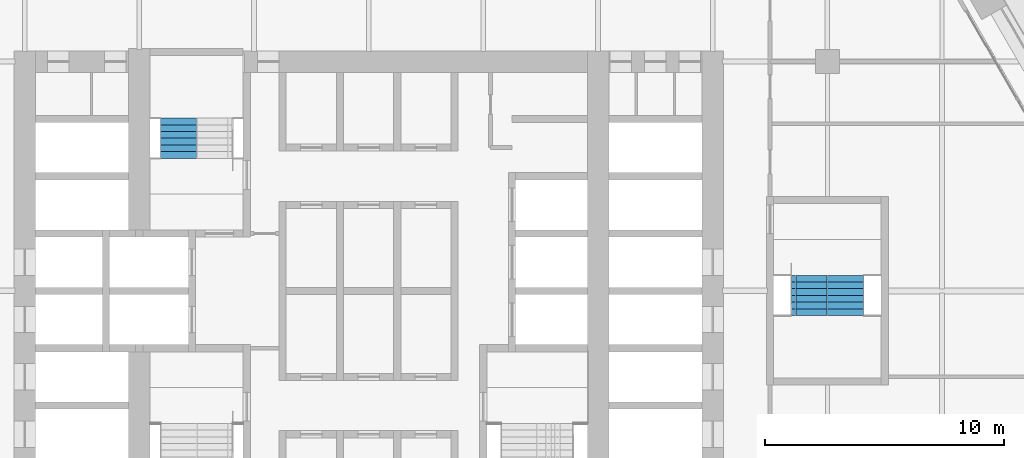
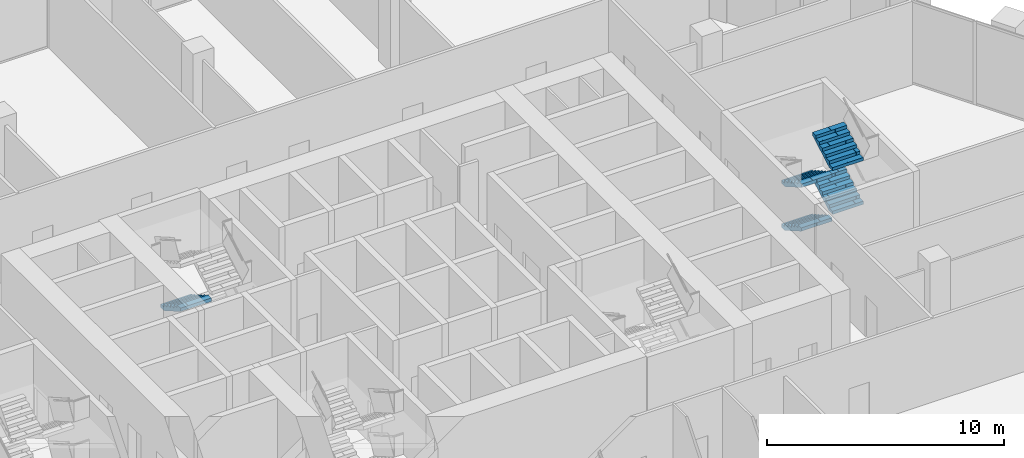
# One storey, part 20 of 23: 5 stair flights, 2 elements without a shape of their own.
"""IFC4 building model written with IfcOpenShell, lengths in metres."""

from ifc_helpers import new_model, si_unit, direction, frame, origin, place, context, subcontext, project, spatial, polyline, outline, extrude, material, type_object, element, aggregate, save


model = new_model("IFC4")

# Units and contexts
model_context = context("Model", 3, precision=1e-05, world=origin(), true_north=direction((0.0, 1.0)))
body_context = subcontext(model_context, "Body", "Model", "MODEL_VIEW")
ifc_project = project(units=[si_unit("LENGTHUNIT", "METRE"), si_unit("AREAUNIT", "SQUARE_METRE"), si_unit("VOLUMEUNIT", "CUBIC_METRE"), si_unit("PLANEANGLEUNIT", "RADIAN"), si_unit("MASSUNIT", "GRAM", prefix="KILO")], contexts=[model_context])

# Site, building, storey
site_placement = place(None, origin())
site = spatial("IfcSite", under=ifc_project, at=site_placement, CompositionType="ELEMENT")
building_placement = place(site_placement, origin())
building = spatial("IfcBuilding", under=site, at=building_placement, Name="Kolab Exchange Tower", CompositionType="ELEMENT")
storey_placement = place(building_placement, frame((0.0, 0.0, 100.39990234375)))
storey = spatial("IfcBuildingStorey", under=building, at=storey_placement, Name="L19", CompositionType="ELEMENT", Elevation=100.39990234375)

# Stair, stair flight
ifc_material = material(Name="Concrete C50/60", Category="concrete")
stair_type_1 = type_object("IfcStairType", Name="STAIR ST1 RISER 160.7", PredefinedType="DOUBLE_RETURN_STAIR", material=ifc_material)
stair_1_placement = place(storey_placement, origin())
stair_1 = element("IfcStair", 1, at=stair_1_placement, inside=storey, type_object=stair_type_1, Name="Stair 1", PredefinedType="DOUBLE_RETURN_STAIR")
stair_flight_type = type_object("IfcStairFlightType", Name="STAIR FLIGHT 1500 RISER 160.7", PredefinedType="STRAIGHT", material=ifc_material)
stair_flight_1_placement = place(storey_placement, frame((-7.9599609375, 7.22998046875, 1.125), z_axis=(0.0, 0.0, 1.0), x_axis=(0.0, -1.0, 0.0)))
stair_flight_1 = element("IfcStairFlight", 2, at=stair_flight_1_placement, type_object=stair_flight_type, Name="ST1 flight 2", NumberOfRisers=7, NumberOfTreads=6, PredefinedType="STRAIGHT", RiserHeight=0.160714286, TreadLength=0.28, context=body_context, shape_type="SweptSolid", body=[
    extrude(outline(polyline([(0.0, 0.0), (0.0, 0.16064453125), (0.280029296875, 0.16064453125), (0.280029296875, 0.321533203125), (0.56005859375, 0.321533203125), (0.56005859375, 0.482177734375), (0.840087890625, 0.482177734375), (0.840087890625, 0.642822265625), (1.1201171875, 0.642822265625), (1.1201171875, 0.803466796875), (1.39990234375, 0.803466796875), (1.39990234375, 0.96435546875), (1.679931640625, 0.96435546875), (1.679931640625, 1.125), (1.679931640625, 0.79150390625), (0.301025390625, 0.0), (0.0, 0.0)])), frame((0.0, 0.75, 0.0), z_axis=(0.0, -1.0, 0.0), x_axis=(1.0, 0.0, 0.0)), (0.0, 0.0, 1.0), 0.185791015625),
    extrude(outline(polyline([(0.0, 0.0), (0.0, 0.16064453125), (0.280029296875, 0.16064453125), (0.280029296875, 0.321533203125), (0.56005859375, 0.321533203125), (0.56005859375, 0.482177734375), (0.840087890625, 0.482177734375), (0.840087890625, 0.642822265625), (1.1201171875, 0.642822265625), (1.1201171875, 0.803466796875), (1.39990234375, 0.803466796875), (1.39990234375, 0.96435546875), (1.679931640625, 0.96435546875), (1.679931640625, 1.125), (1.679931640625, 0.79150390625), (0.301025390625, 0.0), (0.0, 0.0)])), frame((0.0, 0.562255859375, 0.0), z_axis=(0.0, -1.0, 0.0), x_axis=(1.0, 0.0, 0.0)), (0.0, 0.0, 1.0), 0.185791015625),
    extrude(outline(polyline([(0.0, 0.0), (0.0, 0.16064453125), (0.280029296875, 0.16064453125), (0.280029296875, 0.321533203125), (0.56005859375, 0.321533203125), (0.56005859375, 0.482177734375), (0.840087890625, 0.482177734375), (0.840087890625, 0.642822265625), (1.1201171875, 0.642822265625), (1.1201171875, 0.803466796875), (1.39990234375, 0.803466796875), (1.39990234375, 0.96435546875), (1.679931640625, 0.96435546875), (1.679931640625, 1.125), (1.679931640625, 0.79150390625), (0.301025390625, 0.0), (0.0, 0.0)])), frame((0.0, 0.37451171875, 0.0), z_axis=(0.0, -1.0, 0.0), x_axis=(1.0, 0.0, 0.0)), (0.0, 0.0, 1.0), 0.185791015625),
    extrude(outline(polyline([(0.0, 0.0), (0.0, 0.16064453125), (0.280029296875, 0.16064453125), (0.280029296875, 0.321533203125), (0.56005859375, 0.321533203125), (0.56005859375, 0.482177734375), (0.840087890625, 0.482177734375), (0.840087890625, 0.642822265625), (1.1201171875, 0.642822265625), (1.1201171875, 0.803466796875), (1.39990234375, 0.803466796875), (1.39990234375, 0.96435546875), (1.679931640625, 0.96435546875), (1.679931640625, 1.125), (1.679931640625, 0.79150390625), (0.301025390625, 0.0), (0.0, 0.0)])), frame((0.0, 0.186767578125, 0.0), z_axis=(0.0, -1.0, 0.0), x_axis=(1.0, 0.0, 0.0)), (0.0, 0.0, 1.0), 0.185791015625),
    extrude(outline(polyline([(0.0, 0.0), (0.0, 0.16064453125), (0.280029296875, 0.16064453125), (0.280029296875, 0.321533203125), (0.56005859375, 0.321533203125), (0.56005859375, 0.482177734375), (0.840087890625, 0.482177734375), (0.840087890625, 0.642822265625), (1.1201171875, 0.642822265625), (1.1201171875, 0.803466796875), (1.39990234375, 0.803466796875), (1.39990234375, 0.96435546875), (1.679931640625, 0.96435546875), (1.679931640625, 1.125), (1.679931640625, 0.79150390625), (0.301025390625, 0.0), (0.0, 0.0)])), frame((0.0, -0.0009765625, 0.0), z_axis=(0.0, -1.0, 0.0), x_axis=(1.0, 0.0, 0.0)), (0.0, 0.0, 1.0), 0.185791015625),
    extrude(outline(polyline([(0.0, 0.0), (0.0, 0.16064453125), (0.280029296875, 0.16064453125), (0.280029296875, 0.321533203125), (0.56005859375, 0.321533203125), (0.56005859375, 0.482177734375), (0.840087890625, 0.482177734375), (0.840087890625, 0.642822265625), (1.1201171875, 0.642822265625), (1.1201171875, 0.803466796875), (1.39990234375, 0.803466796875), (1.39990234375, 0.96435546875), (1.679931640625, 0.96435546875), (1.679931640625, 1.125), (1.679931640625, 0.79150390625), (0.301025390625, 0.0), (0.0, 0.0)])), frame((0.0, -0.188720703125, 0.0), z_axis=(0.0, -1.0, 0.0), x_axis=(1.0, 0.0, 0.0)), (0.0, 0.0, 1.0), 0.185791015625),
    extrude(outline(polyline([(0.0, 0.0), (0.0, 0.16064453125), (0.280029296875, 0.16064453125), (0.280029296875, 0.321533203125), (0.56005859375, 0.321533203125), (0.56005859375, 0.482177734375), (0.840087890625, 0.482177734375), (0.840087890625, 0.642822265625), (1.1201171875, 0.642822265625), (1.1201171875, 0.803466796875), (1.39990234375, 0.803466796875), (1.39990234375, 0.96435546875), (1.679931640625, 0.96435546875), (1.679931640625, 1.125), (1.679931640625, 0.79150390625), (0.301025390625, 0.0), (0.0, 0.0)])), frame((0.0, -0.37646484375, 0.0), z_axis=(0.0, -1.0, 0.0), x_axis=(1.0, 0.0, 0.0)), (0.0, 0.0, 1.0), 0.185791015625),
    extrude(outline(polyline([(0.0, 0.0), (0.0, 0.16064453125), (0.280029296875, 0.16064453125), (0.280029296875, 0.321533203125), (0.56005859375, 0.321533203125), (0.56005859375, 0.482177734375), (0.840087890625, 0.482177734375), (0.840087890625, 0.642822265625), (1.1201171875, 0.642822265625), (1.1201171875, 0.803466796875), (1.39990234375, 0.803466796875), (1.39990234375, 0.96435546875), (1.679931640625, 0.96435546875), (1.679931640625, 1.125), (1.679931640625, 0.79150390625), (0.301025390625, 0.0), (0.0, 0.0)])), frame((0.0, -0.564208984375, 0.0), z_axis=(0.0, -1.0, 0.0), x_axis=(1.0, 0.0, 0.0)), (0.0, 0.0, 1.0), 0.185791015625),
])
aggregate(stair_1, [stair_flight_1])

# Stair, stair flights
stair_type_2 = type_object("IfcStairType", Name="STAIR ST4 RISER 160.7", PredefinedType="DOUBLE_RETURN_STAIR", material=ifc_material)
stair_2_placement = place(storey_placement, origin())
stair_2 = element("IfcStair", 3, at=stair_2_placement, inside=storey, type_object=stair_type_2, Name="Stair 4", PredefinedType="DOUBLE_RETURN_STAIR")
stair_flight_2_placement = place(storey_placement, frame((18.43994140625, 0.64990234375, 0.0), z_axis=(0.0, 0.0, 1.0), x_axis=(0.0, -1.0, 0.0)))
stair_flight_2 = element("IfcStairFlight", 4, at=stair_flight_2_placement, type_object=stair_flight_type, Name="ST4 flight 1", NumberOfRisers=7, NumberOfTreads=6, PredefinedType="STRAIGHT", RiserHeight=0.160714286, TreadLength=0.28, context=body_context, shape_type="SweptSolid", body=[
    extrude(outline(polyline([(0.0, 0.0), (0.0, 0.16064453125), (0.280029296875, 0.16064453125), (0.280029296875, 0.321533203125), (0.56005859375, 0.321533203125), (0.56005859375, 0.482177734375), (0.840087890625, 0.482177734375), (0.840087890625, 0.642822265625), (1.1201171875, 0.642822265625), (1.1201171875, 0.803466796875), (1.39990234375, 0.803466796875), (1.39990234375, 0.96435546875), (1.679931640625, 0.96435546875), (1.679931640625, 1.125), (1.679931640625, 0.79150390625), (0.301025390625, 0.0), (0.0, 0.0)])), frame((0.0, 0.75, 0.0), z_axis=(0.0, -1.0, 0.0), x_axis=(1.0, 0.0, 0.0)), (0.0, 0.0, 1.0), 0.185791015625),
    extrude(outline(polyline([(0.0, 0.0), (0.0, 0.16064453125), (0.280029296875, 0.16064453125), (0.280029296875, 0.321533203125), (0.56005859375, 0.321533203125), (0.56005859375, 0.482177734375), (0.840087890625, 0.482177734375), (0.840087890625, 0.642822265625), (1.1201171875, 0.642822265625), (1.1201171875, 0.803466796875), (1.39990234375, 0.803466796875), (1.39990234375, 0.96435546875), (1.679931640625, 0.96435546875), (1.679931640625, 1.125), (1.679931640625, 0.79150390625), (0.301025390625, 0.0), (0.0, 0.0)])), frame((0.0, 0.562255859375, 0.0), z_axis=(0.0, -1.0, 0.0), x_axis=(1.0, 0.0, 0.0)), (0.0, 0.0, 1.0), 0.185791015625),
    extrude(outline(polyline([(0.0, 0.0), (0.0, 0.16064453125), (0.280029296875, 0.16064453125), (0.280029296875, 0.321533203125), (0.56005859375, 0.321533203125), (0.56005859375, 0.482177734375), (0.840087890625, 0.482177734375), (0.840087890625, 0.642822265625), (1.1201171875, 0.642822265625), (1.1201171875, 0.803466796875), (1.39990234375, 0.803466796875), (1.39990234375, 0.96435546875), (1.679931640625, 0.96435546875), (1.679931640625, 1.125), (1.679931640625, 0.79150390625), (0.301025390625, 0.0), (0.0, 0.0)])), frame((0.0, 0.37451171875, 0.0), z_axis=(0.0, -1.0, 0.0), x_axis=(1.0, 0.0, 0.0)), (0.0, 0.0, 1.0), 0.185791015625),
    extrude(outline(polyline([(0.0, 0.0), (0.0, 0.16064453125), (0.280029296875, 0.16064453125), (0.280029296875, 0.321533203125), (0.56005859375, 0.321533203125), (0.56005859375, 0.482177734375), (0.840087890625, 0.482177734375), (0.840087890625, 0.642822265625), (1.1201171875, 0.642822265625), (1.1201171875, 0.803466796875), (1.39990234375, 0.803466796875), (1.39990234375, 0.96435546875), (1.679931640625, 0.96435546875), (1.679931640625, 1.125), (1.679931640625, 0.79150390625), (0.301025390625, 0.0), (0.0, 0.0)])), frame((0.0, 0.186767578125, 0.0), z_axis=(0.0, -1.0, 0.0), x_axis=(1.0, 0.0, 0.0)), (0.0, 0.0, 1.0), 0.185791015625),
    extrude(outline(polyline([(0.0, 0.0), (0.0, 0.16064453125), (0.280029296875, 0.16064453125), (0.280029296875, 0.321533203125), (0.56005859375, 0.321533203125), (0.56005859375, 0.482177734375), (0.840087890625, 0.482177734375), (0.840087890625, 0.642822265625), (1.1201171875, 0.642822265625), (1.1201171875, 0.803466796875), (1.39990234375, 0.803466796875), (1.39990234375, 0.96435546875), (1.679931640625, 0.96435546875), (1.679931640625, 1.125), (1.679931640625, 0.79150390625), (0.301025390625, 0.0), (0.0, 0.0)])), frame((0.0, -0.0009765625, 0.0), z_axis=(0.0, -1.0, 0.0), x_axis=(1.0, 0.0, 0.0)), (0.0, 0.0, 1.0), 0.185791015625),
    extrude(outline(polyline([(0.0, 0.0), (0.0, 0.16064453125), (0.280029296875, 0.16064453125), (0.280029296875, 0.321533203125), (0.56005859375, 0.321533203125), (0.56005859375, 0.482177734375), (0.840087890625, 0.482177734375), (0.840087890625, 0.642822265625), (1.1201171875, 0.642822265625), (1.1201171875, 0.803466796875), (1.39990234375, 0.803466796875), (1.39990234375, 0.96435546875), (1.679931640625, 0.96435546875), (1.679931640625, 1.125), (1.679931640625, 0.79150390625), (0.301025390625, 0.0), (0.0, 0.0)])), frame((0.0, -0.188720703125, 0.0), z_axis=(0.0, -1.0, 0.0), x_axis=(1.0, 0.0, 0.0)), (0.0, 0.0, 1.0), 0.185791015625),
    extrude(outline(polyline([(0.0, 0.0), (0.0, 0.16064453125), (0.280029296875, 0.16064453125), (0.280029296875, 0.321533203125), (0.56005859375, 0.321533203125), (0.56005859375, 0.482177734375), (0.840087890625, 0.482177734375), (0.840087890625, 0.642822265625), (1.1201171875, 0.642822265625), (1.1201171875, 0.803466796875), (1.39990234375, 0.803466796875), (1.39990234375, 0.96435546875), (1.679931640625, 0.96435546875), (1.679931640625, 1.125), (1.679931640625, 0.79150390625), (0.301025390625, 0.0), (0.0, 0.0)])), frame((0.0, -0.37646484375, 0.0), z_axis=(0.0, -1.0, 0.0), x_axis=(1.0, 0.0, 0.0)), (0.0, 0.0, 1.0), 0.185791015625),
    extrude(outline(polyline([(0.0, 0.0), (0.0, 0.16064453125), (0.280029296875, 0.16064453125), (0.280029296875, 0.321533203125), (0.56005859375, 0.321533203125), (0.56005859375, 0.482177734375), (0.840087890625, 0.482177734375), (0.840087890625, 0.642822265625), (1.1201171875, 0.642822265625), (1.1201171875, 0.803466796875), (1.39990234375, 0.803466796875), (1.39990234375, 0.96435546875), (1.679931640625, 0.96435546875), (1.679931640625, 1.125), (1.679931640625, 0.79150390625), (0.301025390625, 0.0), (0.0, 0.0)])), frame((0.0, -0.564208984375, 0.0), z_axis=(0.0, -1.0, 0.0), x_axis=(1.0, 0.0, 0.0)), (0.0, 0.0, 1.0), 0.185791015625),
])
stair_flight_3_placement = place(storey_placement, frame((19.9599609375, -1.030029296875, 1.125), z_axis=(0.0, 0.0, 1.0), x_axis=(0.0, 1.0, 0.0)))
stair_flight_3 = element("IfcStairFlight", 5, at=stair_flight_3_placement, type_object=stair_flight_type, Name="ST4 flight 2", NumberOfRisers=7, NumberOfTreads=6, PredefinedType="STRAIGHT", RiserHeight=0.160714286, TreadLength=0.28, context=body_context, shape_type="SweptSolid", body=[
    extrude(outline(polyline([(0.0, 0.0), (0.0, 0.16064453125), (0.280029296875, 0.16064453125), (0.280029296875, 0.321533203125), (0.56005859375, 0.321533203125), (0.56005859375, 0.482177734375), (0.840087890625, 0.482177734375), (0.840087890625, 0.642822265625), (1.1201171875, 0.642822265625), (1.1201171875, 0.803466796875), (1.39990234375, 0.803466796875), (1.39990234375, 0.96435546875), (1.679931640625, 0.96435546875), (1.679931640625, 1.125), (1.679931640625, 0.79150390625), (0.301025390625, 0.0), (0.0, 0.0)])), frame((0.0, 0.75, 0.0), z_axis=(0.0, -1.0, 0.0), x_axis=(1.0, 0.0, 0.0)), (0.0, 0.0, 1.0), 0.185791015625),
    extrude(outline(polyline([(0.0, 0.0), (0.0, 0.16064453125), (0.280029296875, 0.16064453125), (0.280029296875, 0.321533203125), (0.56005859375, 0.321533203125), (0.56005859375, 0.482177734375), (0.840087890625, 0.482177734375), (0.840087890625, 0.642822265625), (1.1201171875, 0.642822265625), (1.1201171875, 0.803466796875), (1.39990234375, 0.803466796875), (1.39990234375, 0.96435546875), (1.679931640625, 0.96435546875), (1.679931640625, 1.125), (1.679931640625, 0.79150390625), (0.301025390625, 0.0), (0.0, 0.0)])), frame((0.0, 0.562255859375, 0.0), z_axis=(0.0, -1.0, 0.0), x_axis=(1.0, 0.0, 0.0)), (0.0, 0.0, 1.0), 0.185791015625),
    extrude(outline(polyline([(0.0, 0.0), (0.0, 0.16064453125), (0.280029296875, 0.16064453125), (0.280029296875, 0.321533203125), (0.56005859375, 0.321533203125), (0.56005859375, 0.482177734375), (0.840087890625, 0.482177734375), (0.840087890625, 0.642822265625), (1.1201171875, 0.642822265625), (1.1201171875, 0.803466796875), (1.39990234375, 0.803466796875), (1.39990234375, 0.96435546875), (1.679931640625, 0.96435546875), (1.679931640625, 1.125), (1.679931640625, 0.79150390625), (0.301025390625, 0.0), (0.0, 0.0)])), frame((0.0, 0.37451171875, 0.0), z_axis=(0.0, -1.0, 0.0), x_axis=(1.0, 0.0, 0.0)), (0.0, 0.0, 1.0), 0.185791015625),
    extrude(outline(polyline([(0.0, 0.0), (0.0, 0.16064453125), (0.280029296875, 0.16064453125), (0.280029296875, 0.321533203125), (0.56005859375, 0.321533203125), (0.56005859375, 0.482177734375), (0.840087890625, 0.482177734375), (0.840087890625, 0.642822265625), (1.1201171875, 0.642822265625), (1.1201171875, 0.803466796875), (1.39990234375, 0.803466796875), (1.39990234375, 0.96435546875), (1.679931640625, 0.96435546875), (1.679931640625, 1.125), (1.679931640625, 0.79150390625), (0.301025390625, 0.0), (0.0, 0.0)])), frame((0.0, 0.186767578125, 0.0), z_axis=(0.0, -1.0, 0.0), x_axis=(1.0, 0.0, 0.0)), (0.0, 0.0, 1.0), 0.185791015625),
    extrude(outline(polyline([(0.0, 0.0), (0.0, 0.16064453125), (0.280029296875, 0.16064453125), (0.280029296875, 0.321533203125), (0.56005859375, 0.321533203125), (0.56005859375, 0.482177734375), (0.840087890625, 0.482177734375), (0.840087890625, 0.642822265625), (1.1201171875, 0.642822265625), (1.1201171875, 0.803466796875), (1.39990234375, 0.803466796875), (1.39990234375, 0.96435546875), (1.679931640625, 0.96435546875), (1.679931640625, 1.125), (1.679931640625, 0.79150390625), (0.301025390625, 0.0), (0.0, 0.0)])), frame((0.0, -0.0009765625, 0.0), z_axis=(0.0, -1.0, 0.0), x_axis=(1.0, 0.0, 0.0)), (0.0, 0.0, 1.0), 0.185791015625),
    extrude(outline(polyline([(0.0, 0.0), (0.0, 0.16064453125), (0.280029296875, 0.16064453125), (0.280029296875, 0.321533203125), (0.56005859375, 0.321533203125), (0.56005859375, 0.482177734375), (0.840087890625, 0.482177734375), (0.840087890625, 0.642822265625), (1.1201171875, 0.642822265625), (1.1201171875, 0.803466796875), (1.39990234375, 0.803466796875), (1.39990234375, 0.96435546875), (1.679931640625, 0.96435546875), (1.679931640625, 1.125), (1.679931640625, 0.79150390625), (0.301025390625, 0.0), (0.0, 0.0)])), frame((0.0, -0.188720703125, 0.0), z_axis=(0.0, -1.0, 0.0), x_axis=(1.0, 0.0, 0.0)), (0.0, 0.0, 1.0), 0.185791015625),
    extrude(outline(polyline([(0.0, 0.0), (0.0, 0.16064453125), (0.280029296875, 0.16064453125), (0.280029296875, 0.321533203125), (0.56005859375, 0.321533203125), (0.56005859375, 0.482177734375), (0.840087890625, 0.482177734375), (0.840087890625, 0.642822265625), (1.1201171875, 0.642822265625), (1.1201171875, 0.803466796875), (1.39990234375, 0.803466796875), (1.39990234375, 0.96435546875), (1.679931640625, 0.96435546875), (1.679931640625, 1.125), (1.679931640625, 0.79150390625), (0.301025390625, 0.0), (0.0, 0.0)])), frame((0.0, -0.37646484375, 0.0), z_axis=(0.0, -1.0, 0.0), x_axis=(1.0, 0.0, 0.0)), (0.0, 0.0, 1.0), 0.185791015625),
    extrude(outline(polyline([(0.0, 0.0), (0.0, 0.16064453125), (0.280029296875, 0.16064453125), (0.280029296875, 0.321533203125), (0.56005859375, 0.321533203125), (0.56005859375, 0.482177734375), (0.840087890625, 0.482177734375), (0.840087890625, 0.642822265625), (1.1201171875, 0.642822265625), (1.1201171875, 0.803466796875), (1.39990234375, 0.803466796875), (1.39990234375, 0.96435546875), (1.679931640625, 0.96435546875), (1.679931640625, 1.125), (1.679931640625, 0.79150390625), (0.301025390625, 0.0), (0.0, 0.0)])), frame((0.0, -0.564208984375, 0.0), z_axis=(0.0, -1.0, 0.0), x_axis=(1.0, 0.0, 0.0)), (0.0, 0.0, 1.0), 0.185791015625),
])
stair_flight_4_placement = place(storey_placement, frame((18.43994140625, 0.64990234375, 2.25), z_axis=(0.0, 0.0, 1.0), x_axis=(0.0, -1.0, 0.0)))
stair_flight_4 = element("IfcStairFlight", 6, at=stair_flight_4_placement, type_object=stair_flight_type, Name="ST4 flight 3", NumberOfRisers=7, NumberOfTreads=6, PredefinedType="STRAIGHT", RiserHeight=0.160714286, TreadLength=0.28, context=body_context, shape_type="SweptSolid", body=[
    extrude(outline(polyline([(0.0, 0.0), (0.0, 0.16064453125), (0.280029296875, 0.16064453125), (0.280029296875, 0.321533203125), (0.56005859375, 0.321533203125), (0.56005859375, 0.482177734375), (0.840087890625, 0.482177734375), (0.840087890625, 0.642822265625), (1.1201171875, 0.642822265625), (1.1201171875, 0.803466796875), (1.39990234375, 0.803466796875), (1.39990234375, 0.96435546875), (1.679931640625, 0.96435546875), (1.679931640625, 1.125), (1.679931640625, 0.79150390625), (0.301025390625, 0.0), (0.0, 0.0)])), frame((0.0, 0.75, 0.0), z_axis=(0.0, -1.0, 0.0), x_axis=(1.0, 0.0, 0.0)), (0.0, 0.0, 1.0), 0.185791015625),
    extrude(outline(polyline([(0.0, 0.0), (0.0, 0.16064453125), (0.280029296875, 0.16064453125), (0.280029296875, 0.321533203125), (0.56005859375, 0.321533203125), (0.56005859375, 0.482177734375), (0.840087890625, 0.482177734375), (0.840087890625, 0.642822265625), (1.1201171875, 0.642822265625), (1.1201171875, 0.803466796875), (1.39990234375, 0.803466796875), (1.39990234375, 0.96435546875), (1.679931640625, 0.96435546875), (1.679931640625, 1.125), (1.679931640625, 0.79150390625), (0.301025390625, 0.0), (0.0, 0.0)])), frame((0.0, 0.562255859375, 0.0), z_axis=(0.0, -1.0, 0.0), x_axis=(1.0, 0.0, 0.0)), (0.0, 0.0, 1.0), 0.185791015625),
    extrude(outline(polyline([(0.0, 0.0), (0.0, 0.16064453125), (0.280029296875, 0.16064453125), (0.280029296875, 0.321533203125), (0.56005859375, 0.321533203125), (0.56005859375, 0.482177734375), (0.840087890625, 0.482177734375), (0.840087890625, 0.642822265625), (1.1201171875, 0.642822265625), (1.1201171875, 0.803466796875), (1.39990234375, 0.803466796875), (1.39990234375, 0.96435546875), (1.679931640625, 0.96435546875), (1.679931640625, 1.125), (1.679931640625, 0.79150390625), (0.301025390625, 0.0), (0.0, 0.0)])), frame((0.0, 0.37451171875, 0.0), z_axis=(0.0, -1.0, 0.0), x_axis=(1.0, 0.0, 0.0)), (0.0, 0.0, 1.0), 0.185791015625),
    extrude(outline(polyline([(0.0, 0.0), (0.0, 0.16064453125), (0.280029296875, 0.16064453125), (0.280029296875, 0.321533203125), (0.56005859375, 0.321533203125), (0.56005859375, 0.482177734375), (0.840087890625, 0.482177734375), (0.840087890625, 0.642822265625), (1.1201171875, 0.642822265625), (1.1201171875, 0.803466796875), (1.39990234375, 0.803466796875), (1.39990234375, 0.96435546875), (1.679931640625, 0.96435546875), (1.679931640625, 1.125), (1.679931640625, 0.79150390625), (0.301025390625, 0.0), (0.0, 0.0)])), frame((0.0, 0.186767578125, 0.0), z_axis=(0.0, -1.0, 0.0), x_axis=(1.0, 0.0, 0.0)), (0.0, 0.0, 1.0), 0.185791015625),
    extrude(outline(polyline([(0.0, 0.0), (0.0, 0.16064453125), (0.280029296875, 0.16064453125), (0.280029296875, 0.321533203125), (0.56005859375, 0.321533203125), (0.56005859375, 0.482177734375), (0.840087890625, 0.482177734375), (0.840087890625, 0.642822265625), (1.1201171875, 0.642822265625), (1.1201171875, 0.803466796875), (1.39990234375, 0.803466796875), (1.39990234375, 0.96435546875), (1.679931640625, 0.96435546875), (1.679931640625, 1.125), (1.679931640625, 0.79150390625), (0.301025390625, 0.0), (0.0, 0.0)])), frame((0.0, -0.0009765625, 0.0), z_axis=(0.0, -1.0, 0.0), x_axis=(1.0, 0.0, 0.0)), (0.0, 0.0, 1.0), 0.185791015625),
    extrude(outline(polyline([(0.0, 0.0), (0.0, 0.16064453125), (0.280029296875, 0.16064453125), (0.280029296875, 0.321533203125), (0.56005859375, 0.321533203125), (0.56005859375, 0.482177734375), (0.840087890625, 0.482177734375), (0.840087890625, 0.642822265625), (1.1201171875, 0.642822265625), (1.1201171875, 0.803466796875), (1.39990234375, 0.803466796875), (1.39990234375, 0.96435546875), (1.679931640625, 0.96435546875), (1.679931640625, 1.125), (1.679931640625, 0.79150390625), (0.301025390625, 0.0), (0.0, 0.0)])), frame((0.0, -0.188720703125, 0.0), z_axis=(0.0, -1.0, 0.0), x_axis=(1.0, 0.0, 0.0)), (0.0, 0.0, 1.0), 0.185791015625),
    extrude(outline(polyline([(0.0, 0.0), (0.0, 0.16064453125), (0.280029296875, 0.16064453125), (0.280029296875, 0.321533203125), (0.56005859375, 0.321533203125), (0.56005859375, 0.482177734375), (0.840087890625, 0.482177734375), (0.840087890625, 0.642822265625), (1.1201171875, 0.642822265625), (1.1201171875, 0.803466796875), (1.39990234375, 0.803466796875), (1.39990234375, 0.96435546875), (1.679931640625, 0.96435546875), (1.679931640625, 1.125), (1.679931640625, 0.79150390625), (0.301025390625, 0.0), (0.0, 0.0)])), frame((0.0, -0.37646484375, 0.0), z_axis=(0.0, -1.0, 0.0), x_axis=(1.0, 0.0, 0.0)), (0.0, 0.0, 1.0), 0.185791015625),
    extrude(outline(polyline([(0.0, 0.0), (0.0, 0.16064453125), (0.280029296875, 0.16064453125), (0.280029296875, 0.321533203125), (0.56005859375, 0.321533203125), (0.56005859375, 0.482177734375), (0.840087890625, 0.482177734375), (0.840087890625, 0.642822265625), (1.1201171875, 0.642822265625), (1.1201171875, 0.803466796875), (1.39990234375, 0.803466796875), (1.39990234375, 0.96435546875), (1.679931640625, 0.96435546875), (1.679931640625, 1.125), (1.679931640625, 0.79150390625), (0.301025390625, 0.0), (0.0, 0.0)])), frame((0.0, -0.564208984375, 0.0), z_axis=(0.0, -1.0, 0.0), x_axis=(1.0, 0.0, 0.0)), (0.0, 0.0, 1.0), 0.185791015625),
])
stair_flight_5_placement = place(storey_placement, frame((19.9599609375, -1.030029296875, 3.375), z_axis=(0.0, 0.0, 1.0), x_axis=(0.0, 1.0, 0.0)))
stair_flight_5 = element("IfcStairFlight", 7, at=stair_flight_5_placement, type_object=stair_flight_type, Name="ST4 flight 4", NumberOfRisers=7, NumberOfTreads=6, PredefinedType="STRAIGHT", RiserHeight=0.160714286, TreadLength=0.28, context=body_context, shape_type="SweptSolid", body=[
    extrude(outline(polyline([(0.0, 0.0), (0.0, 0.16064453125), (0.280029296875, 0.16064453125), (0.280029296875, 0.321533203125), (0.56005859375, 0.321533203125), (0.56005859375, 0.482177734375), (0.840087890625, 0.482177734375), (0.840087890625, 0.642822265625), (1.1201171875, 0.642822265625), (1.1201171875, 0.803466796875), (1.39990234375, 0.803466796875), (1.39990234375, 0.96435546875), (1.679931640625, 0.96435546875), (1.679931640625, 1.125), (1.679931640625, 0.79150390625), (0.301025390625, 0.0), (0.0, 0.0)])), frame((0.0, 0.75, 0.0), z_axis=(0.0, -1.0, 0.0), x_axis=(1.0, 0.0, 0.0)), (0.0, 0.0, 1.0), 0.185791015625),
    extrude(outline(polyline([(0.0, 0.0), (0.0, 0.16064453125), (0.280029296875, 0.16064453125), (0.280029296875, 0.321533203125), (0.56005859375, 0.321533203125), (0.56005859375, 0.482177734375), (0.840087890625, 0.482177734375), (0.840087890625, 0.642822265625), (1.1201171875, 0.642822265625), (1.1201171875, 0.803466796875), (1.39990234375, 0.803466796875), (1.39990234375, 0.96435546875), (1.679931640625, 0.96435546875), (1.679931640625, 1.125), (1.679931640625, 0.79150390625), (0.301025390625, 0.0), (0.0, 0.0)])), frame((0.0, 0.562255859375, 0.0), z_axis=(0.0, -1.0, 0.0), x_axis=(1.0, 0.0, 0.0)), (0.0, 0.0, 1.0), 0.185791015625),
    extrude(outline(polyline([(0.0, 0.0), (0.0, 0.16064453125), (0.280029296875, 0.16064453125), (0.280029296875, 0.321533203125), (0.56005859375, 0.321533203125), (0.56005859375, 0.482177734375), (0.840087890625, 0.482177734375), (0.840087890625, 0.642822265625), (1.1201171875, 0.642822265625), (1.1201171875, 0.803466796875), (1.39990234375, 0.803466796875), (1.39990234375, 0.96435546875), (1.679931640625, 0.96435546875), (1.679931640625, 1.125), (1.679931640625, 0.79150390625), (0.301025390625, 0.0), (0.0, 0.0)])), frame((0.0, 0.37451171875, 0.0), z_axis=(0.0, -1.0, 0.0), x_axis=(1.0, 0.0, 0.0)), (0.0, 0.0, 1.0), 0.185791015625),
    extrude(outline(polyline([(0.0, 0.0), (0.0, 0.16064453125), (0.280029296875, 0.16064453125), (0.280029296875, 0.321533203125), (0.56005859375, 0.321533203125), (0.56005859375, 0.482177734375), (0.840087890625, 0.482177734375), (0.840087890625, 0.642822265625), (1.1201171875, 0.642822265625), (1.1201171875, 0.803466796875), (1.39990234375, 0.803466796875), (1.39990234375, 0.96435546875), (1.679931640625, 0.96435546875), (1.679931640625, 1.125), (1.679931640625, 0.79150390625), (0.301025390625, 0.0), (0.0, 0.0)])), frame((0.0, 0.186767578125, 0.0), z_axis=(0.0, -1.0, 0.0), x_axis=(1.0, 0.0, 0.0)), (0.0, 0.0, 1.0), 0.185791015625),
    extrude(outline(polyline([(0.0, 0.0), (0.0, 0.16064453125), (0.280029296875, 0.16064453125), (0.280029296875, 0.321533203125), (0.56005859375, 0.321533203125), (0.56005859375, 0.482177734375), (0.840087890625, 0.482177734375), (0.840087890625, 0.642822265625), (1.1201171875, 0.642822265625), (1.1201171875, 0.803466796875), (1.39990234375, 0.803466796875), (1.39990234375, 0.96435546875), (1.679931640625, 0.96435546875), (1.679931640625, 1.125), (1.679931640625, 0.79150390625), (0.301025390625, 0.0), (0.0, 0.0)])), frame((0.0, -0.0009765625, 0.0), z_axis=(0.0, -1.0, 0.0), x_axis=(1.0, 0.0, 0.0)), (0.0, 0.0, 1.0), 0.185791015625),
    extrude(outline(polyline([(0.0, 0.0), (0.0, 0.16064453125), (0.280029296875, 0.16064453125), (0.280029296875, 0.321533203125), (0.56005859375, 0.321533203125), (0.56005859375, 0.482177734375), (0.840087890625, 0.482177734375), (0.840087890625, 0.642822265625), (1.1201171875, 0.642822265625), (1.1201171875, 0.803466796875), (1.39990234375, 0.803466796875), (1.39990234375, 0.96435546875), (1.679931640625, 0.96435546875), (1.679931640625, 1.125), (1.679931640625, 0.79150390625), (0.301025390625, 0.0), (0.0, 0.0)])), frame((0.0, -0.188720703125, 0.0), z_axis=(0.0, -1.0, 0.0), x_axis=(1.0, 0.0, 0.0)), (0.0, 0.0, 1.0), 0.185791015625),
    extrude(outline(polyline([(0.0, 0.0), (0.0, 0.16064453125), (0.280029296875, 0.16064453125), (0.280029296875, 0.321533203125), (0.56005859375, 0.321533203125), (0.56005859375, 0.482177734375), (0.840087890625, 0.482177734375), (0.840087890625, 0.642822265625), (1.1201171875, 0.642822265625), (1.1201171875, 0.803466796875), (1.39990234375, 0.803466796875), (1.39990234375, 0.96435546875), (1.679931640625, 0.96435546875), (1.679931640625, 1.125), (1.679931640625, 0.79150390625), (0.301025390625, 0.0), (0.0, 0.0)])), frame((0.0, -0.37646484375, 0.0), z_axis=(0.0, -1.0, 0.0), x_axis=(1.0, 0.0, 0.0)), (0.0, 0.0, 1.0), 0.185791015625),
    extrude(outline(polyline([(0.0, 0.0), (0.0, 0.16064453125), (0.280029296875, 0.16064453125), (0.280029296875, 0.321533203125), (0.56005859375, 0.321533203125), (0.56005859375, 0.482177734375), (0.840087890625, 0.482177734375), (0.840087890625, 0.642822265625), (1.1201171875, 0.642822265625), (1.1201171875, 0.803466796875), (1.39990234375, 0.803466796875), (1.39990234375, 0.96435546875), (1.679931640625, 0.96435546875), (1.679931640625, 1.125), (1.679931640625, 0.79150390625), (0.301025390625, 0.0), (0.0, 0.0)])), frame((0.0, -0.564208984375, 0.0), z_axis=(0.0, -1.0, 0.0), x_axis=(1.0, 0.0, 0.0)), (0.0, 0.0, 1.0), 0.185791015625),
])
aggregate(stair_2, [stair_flight_2, stair_flight_3, stair_flight_4, stair_flight_5])

save(model, "model.ifc")
